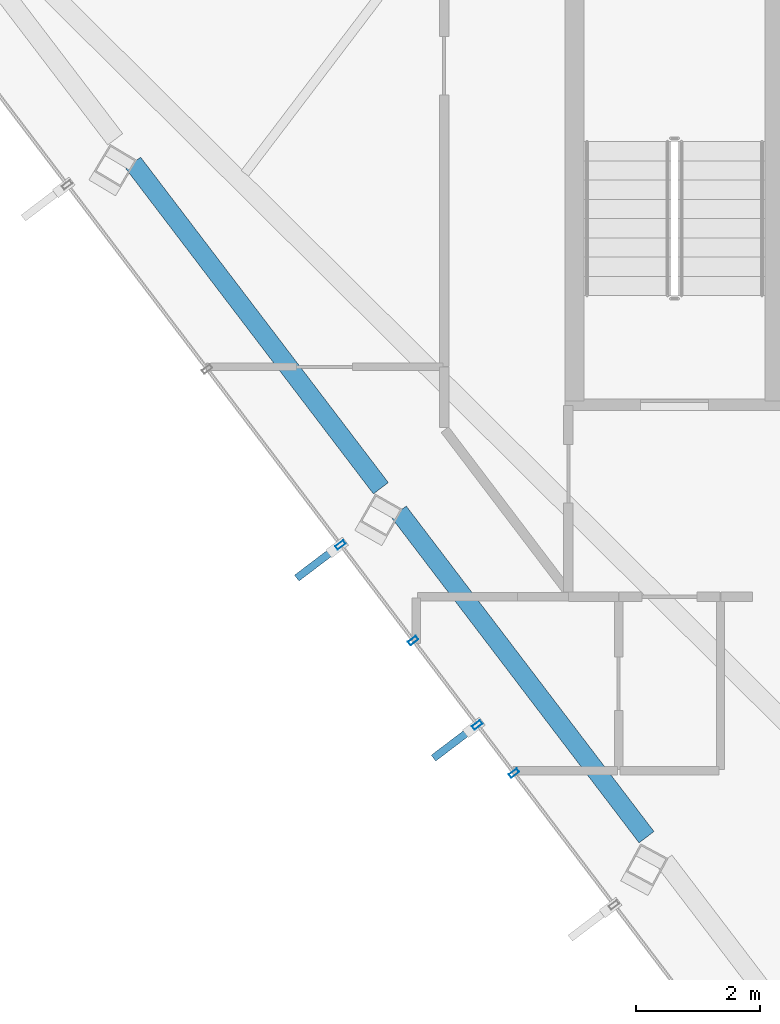
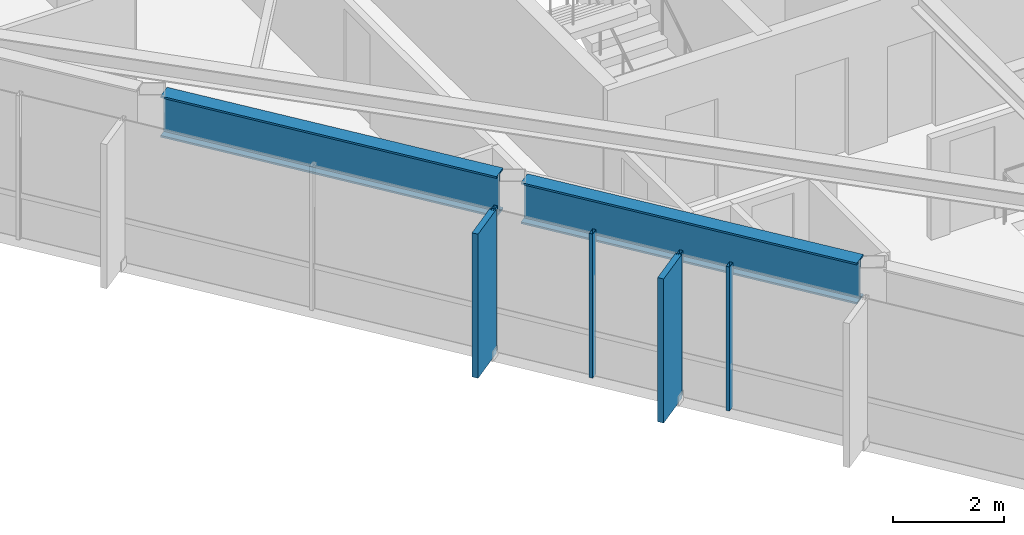
# One storey, part 3 of 25: 6 members, 2 beams, 1 element without a shape of its own.
"""IFC4 building model written with IfcOpenShell, lengths in metres."""

from ifc_helpers import new_model, si_unit, direction, frame, origin, origin_2d, place, context, subcontext, project, spatial, rectangle, hollow_rectangle, i_section, extrude, material, layer, layer_set, material_profile, profile_set, type_object, element, aggregate, save


model = new_model("IFC4")

# Units and contexts
model_context = context("Model", 3, precision=1e-05, world=origin(), true_north=direction((0.0, 1.0)))
body_context = subcontext(model_context, "Body", "Model", "MODEL_VIEW")
ifc_project = project(units=[si_unit("LENGTHUNIT", "METRE"), si_unit("AREAUNIT", "SQUARE_METRE"), si_unit("VOLUMEUNIT", "CUBIC_METRE"), si_unit("PLANEANGLEUNIT", "RADIAN"), si_unit("MASSUNIT", "GRAM", prefix="KILO")], contexts=[model_context])

# Site, building, storey
site_placement = place(None, origin())
site = spatial("IfcSite", under=ifc_project, at=site_placement, CompositionType="ELEMENT")
building_placement = place(site_placement, origin())
building = spatial("IfcBuilding", under=site, at=building_placement, Name="Zarrinselat Tower", CompositionType="ELEMENT")
storey_placement = place(building_placement, frame((0.0, 0.0, 275.39990234375)))
storey = spatial("IfcBuildingStorey", under=building, at=storey_placement, Name="L70", CompositionType="ELEMENT", Elevation=275.39990234375)

# Beams
ifc_material_1 = material(Name="Steel S460M", Category="steel")
ifc_material_profile_1 = material_profile(ifc_material_1, i_section(OverallWidth=0.302001953125, OverallDepth=0.909912109375, WebThickness=0.02099609375, FlangeThickness=0.0400390625, at=origin_2d()), Name="HEM 900")
ifc_profile_set_1 = profile_set([ifc_material_profile_1], Name="Steel S460M")
beam_type = type_object("IfcBeamType", Name="BM-HEM900", PredefinedType="BEAM", material=ifc_profile_set_1)
for number, where, z_axis, x_axis, name in (
    (1, (21.541748046875, 37.13720703125, 2.72509765625), (0.60575503915, -0.795651200303, 0.0), (0.795651200303, 0.60575503915, 0.0), "L70 Perimeter Spandrel Girder SP07"),
    (2, (25.81982421875, 31.51806640625, 2.72509765625), (0.60575503915, -0.795651200303, 0.0), (0.795651200303, 0.60575503915, 0.0), "L70 Perimeter Spandrel Girder SP08"),
):
    element("IfcBeam", number, at=place(storey_placement, frame(where, z_axis=z_axis, x_axis=x_axis)), inside=storey, type_object=beam_type, Name=name, PredefinedType="BEAM", context=body_context, shape_type="SweptSolid", body=[
        extrude(i_section(OverallWidth=0.302001953125, OverallDepth=0.909912109375, WebThickness=0.02099609375, FlangeThickness=0.0400390625, at=origin_2d()), origin(), (0.0, 0.0, 1.0), 6.58642578125),
    ])

# Curtain wall, members
ifc_material_2 = material(Name="Extruded Aluminium Alloy EN AW-6063 T6", Category="aluminium")
ifc_layer = layer(ifc_material_2, 0.169921875)
ifc_layer_set = layer_set([ifc_layer], Name="Extruded Aluminium Alloy EN AW-6063 T6")
curtain_wall_type = type_object("IfcCurtainWallType", Name="CWS-RES", PredefinedType="NOTDEFINED", material=ifc_layer_set)
curtain_wall_placement = place(storey_placement, origin())
curtain_wall = element("IfcCurtainWall", 3, at=curtain_wall_placement, inside=storey, type_object=curtain_wall_type, Name="L70 Unitised Curtain Wall CW-L70-E03", PredefinedType="NOTDEFINED")
ifc_material_3 = material(Name="Extruded Aluminium Alloy EN AW-6063 T6", Category="aluminium")
ifc_material_profile_2 = material_profile(ifc_material_3, hollow_rectangle(XDim=0.070068359375, YDim=0.159912109375, WallThickness=0.00390625, at=origin_2d()), Name="RHS 160x70x4")
ifc_profile_set_2 = profile_set([ifc_material_profile_2], Name="Extruded Aluminium Alloy EN AW-6063 T6")
member_type_1 = type_object("IfcMemberType", Name="MEM-CW-MUL2", PredefinedType="MULLION", material=ifc_profile_set_2)
member_1_placement = place(storey_placement, frame((24.8818359375, 30.984619140625, 0.0), z_axis=(0.0, 0.0, 1.0), x_axis=(0.604787567266, -0.796386839721, 0.0)))
member_1 = element("IfcMember", 4, at=member_1_placement, type_object=member_type_1, Name="CW-L70-E03 Mullion 5", PredefinedType="MULLION", context=body_context, shape_type="SweptSolid", body=[
    extrude(hollow_rectangle(XDim=0.070068359375, YDim=0.159912109375, WallThickness=0.00390625, at=origin_2d()), origin(), (0.0, 0.0, 1.0), 3.18017578125),
])
member_2_placement = place(storey_placement, frame((26.05224609375, 29.443603515625, 0.0), z_axis=(0.0, 0.0, 1.0), x_axis=(0.604787567266, -0.796386839721, 0.0)))
member_2 = element("IfcMember", 5, at=member_2_placement, type_object=member_type_1, Name="CW-L70-E03 Mullion 6", PredefinedType="MULLION", context=body_context, shape_type="SweptSolid", body=[
    extrude(hollow_rectangle(XDim=0.070068359375, YDim=0.159912109375, WallThickness=0.00390625, at=origin_2d()), origin(), (0.0, 0.0, 1.0), 3.18017578125),
])
member_3_placement = place(storey_placement, frame((27.08349609375, 28.08544921875, 0.0), z_axis=(0.0, 0.0, 1.0), x_axis=(0.604787567266, -0.796386839721, 0.0)))
member_3 = element("IfcMember", 6, at=member_3_placement, type_object=member_type_1, Name="CW-L70-E03 Mullion 7", PredefinedType="MULLION", context=body_context, shape_type="SweptSolid", body=[
    extrude(hollow_rectangle(XDim=0.070068359375, YDim=0.159912109375, WallThickness=0.00390625, at=origin_2d()), origin(), (0.0, 0.0, 1.0), 3.18017578125),
])
member_4_placement = place(storey_placement, frame((27.67431640625, 27.3076171875, 0.0), z_axis=(0.0, 0.0, 1.0), x_axis=(0.604787567266, -0.796386839721, 0.0)))
member_4 = element("IfcMember", 7, at=member_4_placement, type_object=member_type_1, Name="CW-L70-E03 Mullion 8", PredefinedType="MULLION", context=body_context, shape_type="SweptSolid", body=[
    extrude(hollow_rectangle(XDim=0.070068359375, YDim=0.159912109375, WallThickness=0.00390625, at=origin_2d()), origin(), (0.0, 0.0, 1.0), 3.18017578125),
])
ifc_material_4 = material(Name="Honed Cream Travertine Stone", Category="masonry")
ifc_material_profile_3 = material_profile(ifc_material_4, rectangle(XDim=0.1201171875, YDim=0.85009765625, at=origin_2d()), Name="FIN 850x120")
ifc_profile_set_3 = profile_set([ifc_material_profile_3], Name="Honed Cream Travertine Stone")
member_type_2 = type_object("IfcMemberType", Name="MEM-STONE-FIN", PredefinedType="USERDEFINED", material=ifc_profile_set_3)
member_5_placement = place(storey_placement, frame((24.515380859375, 30.70654296875, 0.0), z_axis=(0.0, 0.0, 1.0), x_axis=(-0.604787567266, 0.796386839721, 0.0)))
member_5 = element("IfcMember", 8, at=member_5_placement, type_object=member_type_2, Name="L70 Stone Shading Fin CW-L70-E03-05", ObjectType="FIN", PredefinedType="USERDEFINED", context=body_context, shape_type="SweptSolid", body=[
    extrude(rectangle(XDim=0.1201171875, YDim=0.85009765625, at=origin_2d()), origin(), (0.0, 0.0, 1.0), 3.18017578125),
])
member_6_placement = place(storey_placement, frame((26.71728515625, 27.807373046875, 0.0), z_axis=(0.0, 0.0, 1.0), x_axis=(-0.604787567266, 0.796386839721, 0.0)))
member_6 = element("IfcMember", 9, at=member_6_placement, type_object=member_type_2, Name="L70 Stone Shading Fin CW-L70-E03-07", ObjectType="FIN", PredefinedType="USERDEFINED", context=body_context, shape_type="SweptSolid", body=[
    extrude(rectangle(XDim=0.1201171875, YDim=0.85009765625, at=origin_2d()), origin(), (0.0, 0.0, 1.0), 3.18017578125),
])
aggregate(curtain_wall, [member_1, member_5, member_2, member_3, member_6, member_4])

save(model, "model.ifc")
